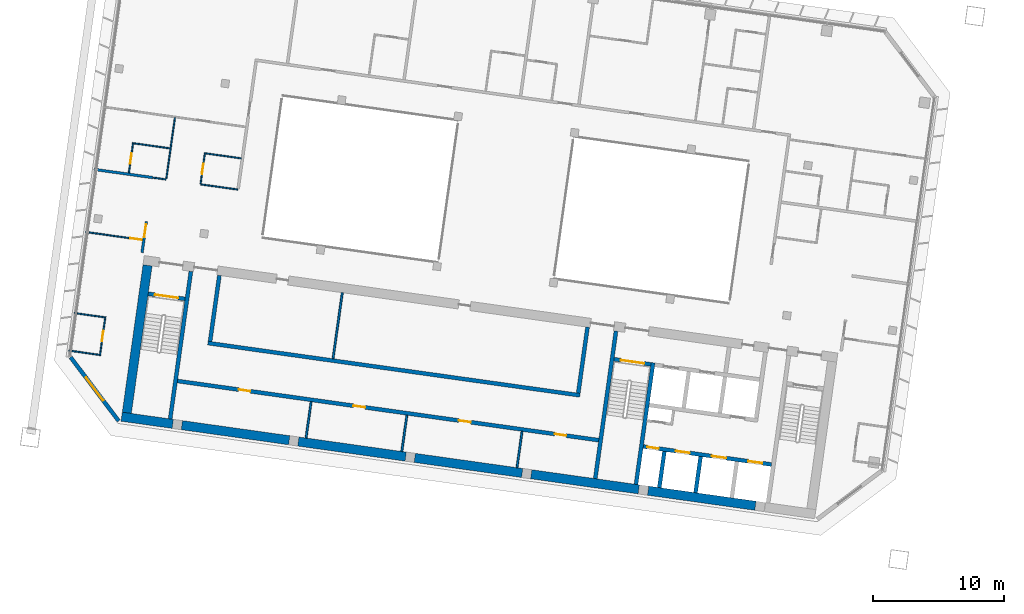
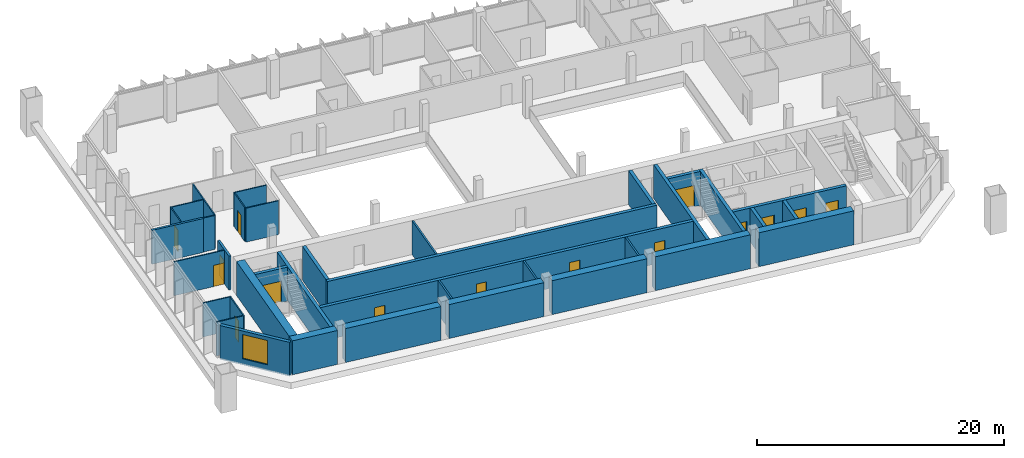
# One storey, part 17 of 31: 37 walls, 15 doors, 1 window, 16 openings.
"""IFC4 building model written with IfcOpenShell, lengths in metres."""

from ifc_helpers import new_model, si_unit, direction, frame, frame_2d, origin, place, context, subcontext, project, spatial, rectangle, extrude, material, layer, layer_set, type_object, element, fill, save


model = new_model("IFC4")

# Units and contexts
model_context = context("Model", 3, precision=1e-05, world=origin(), true_north=direction((0.0, 1.0)))
body_context = subcontext(model_context, "Body", "Model", "MODEL_VIEW")
ifc_project = project(units=[si_unit("LENGTHUNIT", "METRE"), si_unit("AREAUNIT", "SQUARE_METRE"), si_unit("VOLUMEUNIT", "CUBIC_METRE"), si_unit("PLANEANGLEUNIT", "RADIAN"), si_unit("MASSUNIT", "GRAM", prefix="KILO")], contexts=[model_context])

# Site, building, storey
site_placement = place(None, origin())
site = spatial("IfcSite", under=ifc_project, at=site_placement, CompositionType="ELEMENT")
building_placement = place(site_placement, origin())
building = spatial("IfcBuilding", under=site, at=building_placement, Name="Mirante Cascada Hotel Towers", CompositionType="ELEMENT")
storey_placement = place(building_placement, frame((0.0, 0.0, 157.4)))
storey = spatial("IfcBuildingStorey", under=building, at=storey_placement, Name="L36", CompositionType="ELEMENT", Elevation=157.4)

# Wall
ifc_material_1 = material(Name="Fire-rated plasterboard on metal studs")
ifc_layer_1 = layer(ifc_material_1, 0.2)
ifc_layer_set_1 = layer_set([ifc_layer_1], Name="Compartment wall 200 EI 120")
wall_type_1 = type_object("IfcWallType", Name="Compartment wall 200 EI 120", PredefinedType="PARTITIONING", material=ifc_layer_set_1)
wall_1_placement = place(storey_placement, frame((-92.3869, 6.7679, 0.0), z_axis=(0.0, 0.0, 1.0), x_axis=(0.9902674, -0.1391779, 0.0)))
element("IfcWall", 1, at=wall_1_placement, inside=storey, type_object=wall_type_1, Name="Wall 1-L36-10", PredefinedType="PARTITIONING", context=body_context, shape_type="SweptSolid", body=[
    extrude(rectangle(XDim=4.5, YDim=0.2, at=frame_2d((2.25, 0.0))), origin(), (0.0, 0.0, 1.0), 3.35),
])

# Wall, opening, door
wall_2_placement = place(storey_placement, frame((-88.7379, 0.3981, 0.0), z_axis=(0.0, 0.0, 1.0), x_axis=(0.1391693, 0.9902686, 0.0)))
wall_2 = element("IfcWall", 2, at=wall_2_placement, inside=storey, type_object=wall_type_1, Name="Wall 1-L36-49", PredefinedType="PARTITIONING", context=body_context, shape_type="SweptSolid", body=[
    extrude(rectangle(XDim=2.4, YDim=0.2, at=frame_2d((1.2, 0.0))), origin(), (0.0, 0.0, 1.0), 3.35),
])
opening_1_placement = place(wall_2_placement, frame((1.1833, 0.0, 0.0)))
opening_1 = element("IfcOpeningElement", 3, at=opening_1_placement, cuts=wall_2, Name="Opening D1-L36-28", PredefinedType="OPENING", context=body_context, shape_type="SweptSolid", body=[
    extrude(rectangle(XDim=1.0, YDim=2.1, at=frame_2d((0.5, 1.05))), frame((0.0, 0.1, 0.0), z_axis=(0.0, -1.0, 0.0), x_axis=(1.0, 0.0, 0.0)), (0.0, 0.0, 1.0), 0.2),
])
ifc_material_2 = material(Name="Fire-rated timber door leaf", Category="wood")
door_type_1 = type_object("IfcDoorType", Name="Entrance door DG1 1000x2100 EI 60", OperationType="SINGLE_SWING_LEFT", PredefinedType="DOOR", material=ifc_material_2)
door_1_placement = place(opening_1_placement, origin())
door_1 = element("IfcDoor", 4, at=door_1_placement, inside=storey, type_object=door_type_1, Name="Door D1-L36-28", OperationType="SINGLE_SWING_LEFT", OverallHeight=2.1, OverallWidth=1.0, PredefinedType="DOOR", context=body_context, shape_type="SweptSolid", body=[
    extrude(rectangle(XDim=1.0, YDim=2.1, at=frame_2d((0.5, 1.05))), frame((0.0, 0.025, 0.0), z_axis=(0.0, -1.0, 0.0), x_axis=(1.0, 0.0, 0.0)), (0.0, 0.0, 1.0), 0.05),
])
fill(opening_1, door_1)

# Walls
ifc_material_3 = material(Name="Masonry block", Category="masonry")
ifc_layer_2 = layer(ifc_material_3, 0.15)
ifc_layer_set_2 = layer_set([ifc_layer_2], Name="Core room partition 150 block EI 30")
wall_type_2 = type_object("IfcWallType", Name="Core room partition 150 block EI 30", PredefinedType="PARTITIONING", material=ifc_layer_set_2)
wall_3_placement = place(storey_placement, frame((-60.0485, -16.0548, 0.0), z_axis=(0.0, 0.0, 1.0), x_axis=(0.139181, 0.990267, 0.0)))
element("IfcWall", 5, at=wall_3_placement, inside=storey, type_object=wall_type_2, Name="Core wall partition T1 L36 5", PredefinedType="PARTITIONING", context=body_context, shape_type="SweptSolid", body=[
    extrude(rectangle(XDim=2.8, YDim=0.15, at=frame_2d((1.4, 0.0))), origin(), (0.0, 0.0, 1.0), 3.35),
])
wall_4_placement = place(storey_placement, frame((-68.8619, -14.8162, 0.0), z_axis=(0.0, 0.0, 1.0), x_axis=(0.139176, 0.9902677, 0.0)))
element("IfcWall", 6, at=wall_4_placement, inside=storey, type_object=wall_type_2, Name="Core wall partition T1 L36 6", PredefinedType="PARTITIONING", context=body_context, shape_type="SweptSolid", body=[
    extrude(rectangle(XDim=2.8001, YDim=0.15, at=frame_2d((1.4, 0.0))), origin(), (0.0, 0.0, 1.0), 3.35),
])
wall_5_placement = place(storey_placement, frame((-76.1899, -13.7863, 0.0), z_axis=(0.0, 0.0, 1.0), x_axis=(0.139181, 0.990267, 0.0)))
element("IfcWall", 7, at=wall_5_placement, inside=storey, type_object=wall_type_2, Name="Core wall partition T1 L36 7", PredefinedType="PARTITIONING", context=body_context, shape_type="SweptSolid", body=[
    extrude(rectangle(XDim=2.8, YDim=0.15, at=frame_2d((1.4, 0.0))), origin(), (0.0, 0.0, 1.0), 3.35),
])
wall_6_placement = place(storey_placement, frame((-74.1247, -7.7146, 0.0), z_axis=(0.0, 0.0, 1.0), x_axis=(0.139159, 0.9902701, 0.0)))
element("IfcWall", 8, at=wall_6_placement, inside=storey, type_object=wall_type_2, Name="Core wall partition T1 L36 8", PredefinedType="PARTITIONING", context=body_context, shape_type="SweptSolid", body=[
    extrude(rectangle(XDim=5.0999, YDim=0.15, at=frame_2d((2.55, 0.0))), origin(), (0.0, 0.0, 1.0), 3.35),
])

# Wall, openings, doors
ifc_material_4 = material(Name="Masonry block", Category="masonry")
ifc_layer_3 = layer(ifc_material_4, 0.3)
ifc_layer_set_3 = layer_set([ifc_layer_3], Name="Core wall 300 block EI 120")
wall_type_3 = type_object("IfcWallType", Name="Core wall 300 block EI 120", PredefinedType="PARTITIONING", material=ifc_layer_set_3)
wall_7_placement = place(storey_placement, frame((-53.7953, -13.9547, 0.0), z_axis=(0.0, 0.0, 1.0), x_axis=(-0.990268, 0.1391733, 0.0)))
wall_7 = element("IfcWall", 9, at=wall_7_placement, inside=storey, type_object=wall_type_3, Name="Core wall partition T1 L36 4", PredefinedType="PARTITIONING", context=body_context, shape_type="SweptSolid", body=[
    extrude(rectangle(XDim=32.5501, YDim=0.3, at=frame_2d((16.275, 0.0))), origin(), (0.0, 0.0, 1.0), 3.35),
])
opening_2_placement = place(wall_7_placement, frame((2.5, 0.0, 0.0)))
opening_2 = element("IfcOpeningElement", 10, at=opening_2_placement, cuts=wall_7, Name="Opening D1-36-C19", PredefinedType="OPENING", context=body_context, shape_type="SweptSolid", body=[
    extrude(rectangle(XDim=0.9, YDim=2.1, at=frame_2d((0.45, 1.05))), frame((0.0, 0.15, 0.0), z_axis=(0.0, -1.0, 0.0), x_axis=(1.0, 0.0, 0.0)), (0.0, 0.0, 1.0), 0.3),
])
opening_3_placement = place(wall_7_placement, frame((9.9, 0.0, 0.0)))
opening_3 = element("IfcOpeningElement", 11, at=opening_3_placement, cuts=wall_7, Name="Opening D1-36-C20", PredefinedType="OPENING", context=body_context, shape_type="SweptSolid", body=[
    extrude(rectangle(XDim=0.9, YDim=2.1, at=frame_2d((0.45, 1.05))), frame((0.0, 0.15, 0.0), z_axis=(0.0, -1.0, 0.0), x_axis=(1.0, 0.0, 0.0)), (0.0, 0.0, 1.0), 0.3),
])
opening_4_placement = place(wall_7_placement, frame((18.05, 0.0, 0.0)))
opening_4 = element("IfcOpeningElement", 12, at=opening_4_placement, cuts=wall_7, Name="Opening D1-36-C21", PredefinedType="OPENING", context=body_context, shape_type="SweptSolid", body=[
    extrude(rectangle(XDim=0.9, YDim=2.1, at=frame_2d((0.45, 1.05))), frame((0.0, 0.15, 0.0), z_axis=(0.0, -1.0, 0.0), x_axis=(1.0, 0.0, 0.0)), (0.0, 0.0, 1.0), 0.3),
])
opening_5_placement = place(wall_7_placement, frame((26.925, 0.0, 0.0)))
opening_5 = element("IfcOpeningElement", 13, at=opening_5_placement, cuts=wall_7, Name="Opening D1-36-C22", PredefinedType="OPENING", context=body_context, shape_type="SweptSolid", body=[
    extrude(rectangle(XDim=0.9, YDim=2.1, at=frame_2d((0.45, 1.05))), frame((0.0, 0.15, 0.0), z_axis=(0.0, -1.0, 0.0), x_axis=(1.0, 0.0, 0.0)), (0.0, 0.0, 1.0), 0.3),
])
ifc_material_5 = material(Name="Hollow metal fire door leaf")
door_type_2 = type_object("IfcDoorType", Name="Fire door 900x2100 FD60", OperationType="NOTDEFINED", PredefinedType="DOOR", material=ifc_material_5)
door_2_placement = place(opening_2_placement, origin())
door_2 = element("IfcDoor", 14, at=door_2_placement, inside=storey, type_object=door_type_2, Name="Room door T1 L36 19", OperationType="SINGLE_SWING_RIGHT", OverallHeight=2.1, OverallWidth=0.9, PredefinedType="DOOR", context=body_context, shape_type="SweptSolid", body=[
    extrude(rectangle(XDim=0.9, YDim=2.1, at=frame_2d((0.45, 1.05))), frame((0.0, 0.025, 0.0), z_axis=(0.0, -1.0, 0.0), x_axis=(1.0, 0.0, 0.0)), (0.0, 0.0, 1.0), 0.05),
])
fill(opening_2, door_2)
door_3_placement = place(opening_3_placement, origin())
door_3 = element("IfcDoor", 15, at=door_3_placement, inside=storey, type_object=door_type_2, Name="Room door T1 L36 20", OperationType="SINGLE_SWING_RIGHT", OverallHeight=2.1, OverallWidth=0.9, PredefinedType="DOOR", context=body_context, shape_type="SweptSolid", body=[
    extrude(rectangle(XDim=0.9, YDim=2.1, at=frame_2d((0.45, 1.05))), frame((0.0, 0.025, 0.0), z_axis=(0.0, -1.0, 0.0), x_axis=(1.0, 0.0, 0.0)), (0.0, 0.0, 1.0), 0.05),
])
fill(opening_3, door_3)
door_4_placement = place(opening_4_placement, origin())
door_4 = element("IfcDoor", 16, at=door_4_placement, inside=storey, type_object=door_type_2, Name="Room door T1 L36 21", OperationType="SINGLE_SWING_LEFT", OverallHeight=2.1, OverallWidth=0.9, PredefinedType="DOOR", context=body_context, shape_type="SweptSolid", body=[
    extrude(rectangle(XDim=0.9, YDim=2.1, at=frame_2d((0.45, 1.05))), frame((0.0, 0.025, 0.0), z_axis=(0.0, -1.0, 0.0), x_axis=(1.0, 0.0, 0.0)), (0.0, 0.0, 1.0), 0.05),
])
fill(opening_4, door_4)
door_5_placement = place(opening_5_placement, origin())
door_5 = element("IfcDoor", 17, at=door_5_placement, inside=storey, type_object=door_type_2, Name="Room door T1 L36 22", OperationType="SINGLE_SWING_LEFT", OverallHeight=2.1, OverallWidth=0.9, PredefinedType="DOOR", context=body_context, shape_type="SweptSolid", body=[
    extrude(rectangle(XDim=0.9, YDim=2.1, at=frame_2d((0.45, 1.05))), frame((0.0, 0.025, 0.0), z_axis=(0.0, -1.0, 0.0), x_axis=(1.0, 0.0, 0.0)), (0.0, 0.0, 1.0), 0.05),
])
fill(opening_5, door_5)

# Walls
ifc_material_6 = material(Name="Plasterboard on metal studs")
ifc_layer_4 = layer(ifc_material_6, 0.1)
ifc_layer_set_4 = layer_set([ifc_layer_4], Name="Partition 100")
wall_type_4 = type_object("IfcWallType", Name="Partition 100", PredefinedType="PARTITIONING", material=ifc_layer_set_4)
for number, where, z_axis, x_axis, name in (
    (18, (-94.3353, -7.0958, 0.0), (0.0, 0.0, 1.0), (0.9902653, -0.1391929, 0.0), "Wall 1-L36-02"),
    (19, (-93.9317, -4.2241, 0.0), (0.0, 0.0, 1.0), (0.9902712, -0.1391512, 0.0), "Wall 1-L36-04"),
):
    element("IfcWall", number, at=place(storey_placement, frame(where, z_axis=z_axis, x_axis=x_axis)), inside=storey, type_object=wall_type_4, Name=name, PredefinedType="PARTITIONING", context=body_context, shape_type="SweptSolid", body=[
        extrude(rectangle(XDim=2.35, YDim=0.1, at=frame_2d((1.175, 0.0))), origin(), (0.0, 0.0, 1.0), 3.35),
    ])

# Wall, opening, door
wall_8_placement = place(storey_placement, frame((-93.0596, 1.9816, 0.0), z_axis=(0.0, 0.0, 1.0), x_axis=(0.9902701, -0.1391587, 0.0)))
wall_8 = element("IfcWall", 20, at=wall_8_placement, inside=storey, type_object=wall_type_4, Name="Wall 1-L36-06", PredefinedType="PARTITIONING", context=body_context, shape_type="SweptSolid", body=[
    extrude(rectangle(XDim=4.4, YDim=0.1, at=frame_2d((2.2, 0.0))), origin(), (0.0, 0.0, 1.0), 3.35),
])
opening_6_placement = place(wall_8_placement, frame((3.45, 0.0, 0.0)))
opening_6 = element("IfcOpeningElement", 21, at=opening_6_placement, cuts=wall_8, Name="Opening D1-L36-02", PredefinedType="OPENING", context=body_context, shape_type="SweptSolid", body=[
    extrude(rectangle(XDim=0.9, YDim=2.1, at=frame_2d((0.45, 1.05))), frame((0.0, 0.05, 0.0), z_axis=(0.0, -1.0, 0.0), x_axis=(1.0, 0.0, 0.0)), (0.0, 0.0, 1.0), 0.1),
])
ifc_material_7 = material(Name="Timber door leaf", Category="wood")
door_type_3 = type_object("IfcDoorType", Name="Room door DG3 900x2100", OperationType="SINGLE_SWING_LEFT", PredefinedType="DOOR", material=ifc_material_7)
door_6_placement = place(opening_6_placement, frame((0.9, 0.0, 0.0), z_axis=(0.0, 0.0, 1.0), x_axis=(-1.0, 0.0, 0.0)))
door_6 = element("IfcDoor", 22, at=door_6_placement, inside=storey, type_object=door_type_3, Name="Door D1-L36-02", OperationType="SINGLE_SWING_RIGHT", OverallHeight=2.1, OverallWidth=0.9, PredefinedType="DOOR", context=body_context, shape_type="SweptSolid", body=[
    extrude(rectangle(XDim=0.9, YDim=2.1, at=frame_2d((0.45, 1.05))), frame((0.0, 0.025, 0.0), z_axis=(0.0, -1.0, 0.0), x_axis=(1.0, 0.0, 0.0)), (0.0, 0.0, 1.0), 0.05),
])
fill(opening_6, door_6)

# Walls
wall_9_placement = place(storey_placement, frame((-84.237, 5.6225, 0.0), z_axis=(0.0, 0.0, 1.0), x_axis=(0.9902708, -0.1391534, 0.0)))
element("IfcWall", 23, at=wall_9_placement, inside=storey, type_object=wall_type_4, Name="Wall 1-L36-08", PredefinedType="PARTITIONING", context=body_context, shape_type="SweptSolid", body=[
    extrude(rectangle(XDim=2.84, YDim=0.1, at=frame_2d((1.42, 0.0))), origin(), (0.0, 0.0, 1.0), 3.35),
])
wall_10_placement = place(storey_placement, frame((-86.9206, 5.9997, 0.0), z_axis=(0.0, 0.0, 1.0), x_axis=(-0.9902662, 0.1391867, 0.0)))
element("IfcWall", 24, at=wall_10_placement, inside=storey, type_object=wall_type_4, Name="Wall 1-L36-09", PredefinedType="PARTITIONING", context=body_context, shape_type="SweptSolid", body=[
    extrude(rectangle(XDim=0.99, YDim=0.1, at=frame_2d((0.495, 0.0))), origin(), (0.0, 0.0, 1.0), 3.35),
])
wall_11_placement = place(storey_placement, frame((-83.9822, 8.0103, 0.0), z_axis=(0.0, 0.0, 1.0), x_axis=(0.9902656, -0.1391909, 0.0)))
element("IfcWall", 25, at=wall_11_placement, inside=storey, type_object=wall_type_4, Name="Wall 1-L36-12", PredefinedType="PARTITIONING", context=body_context, shape_type="SweptSolid", body=[
    extrude(rectangle(XDim=2.85, YDim=0.1, at=frame_2d((1.425, 0.0))), origin(), (0.0, 0.0, 1.0), 3.35),
])
wall_12_placement = place(storey_placement, frame((-86.6064, 8.3791, 0.0), z_axis=(0.0, 0.0, 1.0), x_axis=(-0.9902683, 0.1391714, 0.0)))
element("IfcWall", 26, at=wall_12_placement, inside=storey, type_object=wall_type_4, Name="Wall 1-L36-13", PredefinedType="PARTITIONING", context=body_context, shape_type="SweptSolid", body=[
    extrude(rectangle(XDim=2.9, YDim=0.1, at=frame_2d((1.45, 0.0))), origin(), (0.0, 0.0, 1.0), 3.35),
])

# Wall, opening, door
wall_13_placement = place(storey_placement, frame((-84.2597, 5.6762, 0.0), z_axis=(0.0, 0.0, 1.0), x_axis=(0.1391749, 0.9902678, 0.0)))
wall_13 = element("IfcWall", 27, at=wall_13_placement, inside=storey, type_object=wall_type_4, Name="Wall 1-L36-47", PredefinedType="PARTITIONING", context=body_context, shape_type="SweptSolid", body=[
    extrude(rectangle(XDim=2.3, YDim=0.1, at=frame_2d((1.15, 0.0))), origin(), (0.0, 0.0, 1.0), 3.35),
])
opening_7_placement = place(wall_13_placement, frame((0.75, 0.0, 0.0)))
opening_7 = element("IfcOpeningElement", 28, at=opening_7_placement, cuts=wall_13, Name="Opening D1-L36-27", PredefinedType="OPENING", context=body_context, shape_type="SweptSolid", body=[
    extrude(rectangle(XDim=0.8, YDim=2.1, at=frame_2d((0.4, 1.05))), frame((0.0, 0.05, 0.0), z_axis=(0.0, -1.0, 0.0), x_axis=(1.0, 0.0, 0.0)), (0.0, 0.0, 1.0), 0.1),
])
ifc_material_8 = material(Name="Timber door leaf", Category="wood")
door_type_4 = type_object("IfcDoorType", Name="Bathroom door DG4 800x2100", OperationType="SINGLE_SWING_LEFT", PredefinedType="DOOR", material=ifc_material_8)
door_7_placement = place(opening_7_placement, frame((0.8, 0.0, 0.0), z_axis=(0.0, 0.0, 1.0), x_axis=(-1.0, 0.0, 0.0)))
door_7 = element("IfcDoor", 29, at=door_7_placement, inside=storey, type_object=door_type_4, Name="Door D1-L36-27", OperationType="SINGLE_SWING_RIGHT", OverallHeight=2.1, OverallWidth=0.8, PredefinedType="DOOR", context=body_context, shape_type="SweptSolid", body=[
    extrude(rectangle(XDim=0.8, YDim=2.1, at=frame_2d((0.4, 1.05))), frame((0.0, 0.025, 0.0), z_axis=(0.0, -1.0, 0.0), x_axis=(1.0, 0.0, 0.0)), (0.0, 0.0, 1.0), 0.05),
])
fill(opening_7, door_7)

# Wall
wall_14_placement = place(storey_placement, frame((-86.2252, 10.7322, 0.0), z_axis=(0.0, 0.0, 1.0), x_axis=(-0.1391642, -0.9902693, 0.0)))
element("IfcWall", 30, at=wall_14_placement, inside=storey, type_object=wall_type_4, Name="Wall 1-L36-48", PredefinedType="PARTITIONING", context=body_context, shape_type="SweptSolid", body=[
    extrude(rectangle(XDim=4.7333, YDim=0.1, at=frame_2d((2.3666, 0.0))), origin(), (0.0, 0.0, 1.0), 3.35),
])

# Wall, opening, door
wall_15_placement = place(storey_placement, frame((-89.4356, 8.7262, 0.0), z_axis=(0.0, 0.0, 1.0), x_axis=(-0.1391997, -0.9902643, 0.0)))
wall_15 = element("IfcWall", 31, at=wall_15_placement, inside=storey, type_object=wall_type_4, Name="Wall 1-L36-50", PredefinedType="PARTITIONING", context=body_context, shape_type="SweptSolid", body=[
    extrude(rectangle(XDim=2.25, YDim=0.1, at=frame_2d((1.125, 0.0))), origin(), (0.0, 0.0, 1.0), 3.35),
])
opening_8_placement = place(wall_15_placement, frame((0.75, 0.0, 0.0)))
opening_8 = element("IfcOpeningElement", 32, at=opening_8_placement, cuts=wall_15, Name="Opening D1-L36-29", PredefinedType="OPENING", context=body_context, shape_type="SweptSolid", body=[
    extrude(rectangle(XDim=0.8, YDim=2.1, at=frame_2d((0.4, 1.05))), frame((0.0, 0.05, 0.0), z_axis=(0.0, -1.0, 0.0), x_axis=(1.0, 0.0, 0.0)), (0.0, 0.0, 1.0), 0.1),
])
door_8_placement = place(opening_8_placement, origin())
door_8 = element("IfcDoor", 33, at=door_8_placement, inside=storey, type_object=door_type_4, Name="Door D1-L36-29", OperationType="SINGLE_SWING_LEFT", OverallHeight=2.1, OverallWidth=0.8, PredefinedType="DOOR", context=body_context, shape_type="SweptSolid", body=[
    extrude(rectangle(XDim=0.8, YDim=2.1, at=frame_2d((0.4, 1.05))), frame((0.0, 0.025, 0.0), z_axis=(0.0, -1.0, 0.0), x_axis=(1.0, 0.0, 0.0)), (0.0, 0.0, 1.0), 0.05),
])
fill(opening_8, door_8)

wall_16_placement = place(storey_placement, frame((-91.9656, -7.4794, 0.0), z_axis=(0.0, 0.0, 1.0), x_axis=(0.139167, 0.9902689, 0.0)))
wall_16 = element("IfcWall", 34, at=wall_16_placement, inside=storey, type_object=wall_type_4, Name="Wall 1-L36-51", PredefinedType="PARTITIONING", context=body_context, shape_type="SweptSolid", body=[
    extrude(rectangle(XDim=3.0, YDim=0.1, at=frame_2d((1.5, 0.0))), origin(), (0.0, 0.0, 1.0), 3.35),
])
opening_9_placement = place(wall_16_placement, frame((1.1, 0.0, 0.0)))
opening_9 = element("IfcOpeningElement", 35, at=opening_9_placement, cuts=wall_16, Name="Opening D1-L36-30", PredefinedType="OPENING", context=body_context, shape_type="SweptSolid", body=[
    extrude(rectangle(XDim=0.8, YDim=2.1, at=frame_2d((0.4, 1.05))), frame((0.0, 0.05, 0.0), z_axis=(0.0, -1.0, 0.0), x_axis=(1.0, 0.0, 0.0)), (0.0, 0.0, 1.0), 0.1),
])
door_9_placement = place(opening_9_placement, frame((0.8, 0.0, 0.0), z_axis=(0.0, 0.0, 1.0), x_axis=(-1.0, 0.0, 0.0)))
door_9 = element("IfcDoor", 36, at=door_9_placement, inside=storey, type_object=door_type_4, Name="Door D1-L36-30", OperationType="SINGLE_SWING_RIGHT", OverallHeight=2.1, OverallWidth=0.8, PredefinedType="DOOR", context=body_context, shape_type="SweptSolid", body=[
    extrude(rectangle(XDim=0.8, YDim=2.1, at=frame_2d((0.4, 1.05))), frame((0.0, 0.025, 0.0), z_axis=(0.0, -1.0, 0.0), x_axis=(1.0, 0.0, 0.0)), (0.0, 0.0, 1.0), 0.05),
])
fill(opening_9, door_9)

# Wall, opening, window
ifc_material_9 = material(Name="Precast concrete C40/50", Category="concrete")
ifc_layer_5 = layer(ifc_material_9, 0.3)
ifc_layer_set_5 = layer_set([ifc_layer_5], Name="Precast concrete C40/50 cladding wall 300")
wall_type_5 = type_object("IfcWallType", Name="Precast concrete C40/50 cladding wall 300", PredefinedType="STANDARD", material=ifc_layer_set_5)
wall_17_placement = place(storey_placement, frame((-90.5299, -12.4841, 0.0), z_axis=(0.0, 0.0, 1.0), x_axis=(-0.6018063, 0.7986421, 0.0)))
wall_17 = element("IfcWall", 37, at=wall_17_placement, inside=storey, type_object=wall_type_5, Name="Corner cladding wall T1 L36 rear outer", PredefinedType="STANDARD", context=body_context, shape_type="SweptSolid", body=[
    extrude(rectangle(XDim=6.1158, YDim=0.3, at=frame_2d((3.0579, 0.0))), origin(), (0.0, 0.0, 1.0), 3.35),
])
opening_10_placement = place(wall_17_placement, frame((1.9578, 0.0, 0.6)))
opening_10 = element("IfcOpeningElement", 38, at=opening_10_placement, cuts=wall_17, Name="Opening W1-36-01", PredefinedType="OPENING", context=body_context, shape_type="SweptSolid", body=[
    extrude(rectangle(XDim=2.2, YDim=2.4, at=frame_2d((1.1, 1.2))), frame((0.0, 0.15, 0.0), z_axis=(0.0, -1.0, 0.0), x_axis=(1.0, 0.0, 0.0)), (0.0, 0.0, 1.0), 0.3),
])
ifc_material_10 = material(Name="Aluminium frame with clear double glazing", Category="aluminium")
window_type = type_object("IfcWindowType", Name="Corner suite window 2200x2400", PartitioningType="DOUBLE_PANEL_VERTICAL", PredefinedType="WINDOW", material=ifc_material_10)
window_placement = place(opening_10_placement, origin())
window = element("IfcWindow", 39, at=window_placement, inside=storey, type_object=window_type, Name="Window W1-36-01", OverallHeight=2.4, OverallWidth=2.2, PartitioningType="SINGLE_PANEL", PredefinedType="WINDOW", context=body_context, shape_type="SweptSolid", body=[
    extrude(rectangle(XDim=2.2, YDim=2.4, at=frame_2d((1.1, 1.2))), frame((0.0, 0.03, 0.0), z_axis=(0.0, -1.0, 0.0), x_axis=(1.0, 0.0, 0.0)), (0.0, 0.0, 1.0), 0.06),
])
fill(opening_10, window)

# Walls
ifc_material_11 = material(Name="Concrete C50/60", Category="concrete")
ifc_layer_6 = layer(ifc_material_11, 0.3)
ifc_layer_set_6 = layer_set([ifc_layer_6], Name="RC core wall 300 C50/60")
wall_type_6 = type_object("IfcWallType", Name="RC core wall 300 C50/60", PredefinedType="SHEAR", material=ifc_layer_set_6)
wall_18_placement = place(storey_placement, frame((-50.938, -17.3352, 0.0), z_axis=(0.0, 0.0, 1.0), x_axis=(0.1391706, 0.9902684, 0.0)))
element("IfcWall", 40, at=wall_18_placement, inside=storey, type_object=wall_type_6, Name="Core wall T1:L36:6", PredefinedType="SHEAR", context=body_context, shape_type="SweptSolid", body=[
    extrude(rectangle(XDim=9.4, YDim=0.3, at=frame_2d((4.7, 0.0))), origin(), (0.0, 0.0, 1.0), 3.35),
])
wall_19_placement = place(storey_placement, frame((-54.0574, -16.8968, 0.0), z_axis=(0.0, 0.0, 1.0), x_axis=(0.1391761, 0.9902677, 0.0)))
element("IfcWall", 41, at=wall_19_placement, inside=storey, type_object=wall_type_6, Name="Core wall T1:L36:7", PredefinedType="SHEAR", context=body_context, shape_type="SweptSolid", body=[
    extrude(rectangle(XDim=11.3999, YDim=0.3, at=frame_2d((5.7, 0.0))), origin(), (0.0, 0.0, 1.0), 3.35),
])
wall_20_placement = place(storey_placement, frame((-86.5877, -12.325, 0.0), z_axis=(0.0, 0.0, 1.0), x_axis=(0.1391749, 0.9902678, 0.0)))
element("IfcWall", 42, at=wall_20_placement, inside=storey, type_object=wall_type_6, Name="Core wall T1:L36:8", PredefinedType="SHEAR", context=body_context, shape_type="SweptSolid", body=[
    extrude(rectangle(XDim=11.4, YDim=0.3, at=frame_2d((5.7, 0.0))), origin(), (0.0, 0.0, 1.0), 3.35),
])

# Wall, opening, door
wall_21_placement = place(storey_placement, frame((-49.7992, -8.1544, 0.0), z_axis=(0.0, 0.0, 1.0), x_axis=(-0.9902656, 0.1391909, 0.0)))
wall_21 = element("IfcWall", 43, at=wall_21_placement, inside=storey, type_object=wall_type_6, Name="Core wall T1:L36:10", PredefinedType="SHEAR", context=body_context, shape_type="SweptSolid", body=[
    extrude(rectangle(XDim=2.85, YDim=0.3, at=frame_2d((1.425, 0.0))), origin(), (0.0, 0.0, 1.0), 3.35),
])
opening_11_placement = place(wall_21_placement, frame((0.525, 0.0, 0.0)))
opening_11 = element("IfcOpeningElement", 44, at=opening_11_placement, cuts=wall_21, Name="Opening D1-36-C09", PredefinedType="OPENING", context=body_context, shape_type="SweptSolid", body=[
    extrude(rectangle(XDim=1.8, YDim=2.1, at=frame_2d((0.9, 1.05))), frame((0.0, 0.15, 0.0), z_axis=(0.0, -1.0, 0.0), x_axis=(1.0, 0.0, 0.0)), (0.0, 0.0, 1.0), 0.3),
])
ifc_material_12 = material(Name="Hollow metal fire door leaf")
door_type_5 = type_object("IfcDoorType", Name="Double fire door 1800x2100 FD60", OperationType="DOUBLE_DOOR_SINGLE_SWING", PredefinedType="DOOR", material=ifc_material_12)
door_10_placement = place(opening_11_placement, origin())
door_10 = element("IfcDoor", 45, at=door_10_placement, inside=storey, type_object=door_type_5, Name="Stair door T1 L36 9", OperationType="DOUBLE_DOOR_SINGLE_SWING", OverallHeight=2.1, OverallWidth=1.8, PredefinedType="DOOR", context=body_context, shape_type="SweptSolid", body=[
    extrude(rectangle(XDim=0.895, YDim=2.1, at=frame_2d((0.4475, 1.05))), frame((0.0, 0.025, 0.0), z_axis=(0.0, -1.0, 0.0), x_axis=(1.0, 0.0, 0.0)), (0.0, 0.0, 1.0), 0.05),
    extrude(rectangle(XDim=0.895, YDim=2.1, at=frame_2d((1.3525, 1.05))), frame((0.0, 0.025, 0.0), z_axis=(0.0, -1.0, 0.0), x_axis=(1.0, 0.0, 0.0)), (0.0, 0.0, 1.0), 0.05),
])
fill(opening_11, door_10)

wall_22_placement = place(storey_placement, frame((-85.4489, -3.1441, 0.0), z_axis=(0.0, 0.0, 1.0), x_axis=(-0.9902697, 0.1391613, 0.0)))
wall_22 = element("IfcWall", 46, at=wall_22_placement, inside=storey, type_object=wall_type_6, Name="Core wall T1:L36:11", PredefinedType="SHEAR", context=body_context, shape_type="SweptSolid", body=[
    extrude(rectangle(XDim=2.8499, YDim=0.3, at=frame_2d((1.425, 0.0))), origin(), (0.0, 0.0, 1.0), 3.35),
])
opening_12_placement = place(wall_22_placement, frame((0.525, 0.0, 0.0)))
opening_12 = element("IfcOpeningElement", 47, at=opening_12_placement, cuts=wall_22, Name="Opening D1-36-C11", PredefinedType="OPENING", context=body_context, shape_type="SweptSolid", body=[
    extrude(rectangle(XDim=1.8, YDim=2.1, at=frame_2d((0.9, 1.05))), frame((0.0, 0.15, 0.0), z_axis=(0.0, -1.0, 0.0), x_axis=(1.0, 0.0, 0.0)), (0.0, 0.0, 1.0), 0.3),
])
door_11_placement = place(opening_12_placement, origin())
door_11 = element("IfcDoor", 48, at=door_11_placement, inside=storey, type_object=door_type_5, Name="Stair door T1 L36 11", OperationType="DOUBLE_DOOR_SINGLE_SWING", OverallHeight=2.1, OverallWidth=1.8, PredefinedType="DOOR", context=body_context, shape_type="SweptSolid", body=[
    extrude(rectangle(XDim=0.895, YDim=2.1, at=frame_2d((0.4475, 1.05))), frame((0.0, 0.025, 0.0), z_axis=(0.0, -1.0, 0.0), x_axis=(1.0, 0.0, 0.0)), (0.0, 0.0, 1.0), 0.05),
    extrude(rectangle(XDim=0.895, YDim=2.1, at=frame_2d((1.3525, 1.05))), frame((0.0, 0.025, 0.0), z_axis=(0.0, -1.0, 0.0), x_axis=(1.0, 0.0, 0.0)), (0.0, 0.0, 1.0), 0.05),
])
fill(opening_12, door_11)

# Wall, openings, doors
wall_23_placement = place(storey_placement, frame((-40.5753, -15.8126, 0.0), z_axis=(0.0, 0.0, 1.0), x_axis=(-0.9902682, 0.1391725, 0.0)))
wall_23 = element("IfcWall", 49, at=wall_23_placement, inside=storey, type_object=wall_type_6, Name="Core wall T1:L36:12", PredefinedType="SHEAR", context=body_context, shape_type="SweptSolid", body=[
    extrude(rectangle(XDim=9.8999, YDim=0.3, at=frame_2d((4.95, 0.0))), origin(), (0.0, 0.0, 1.0), 3.35),
])
opening_13_placement = place(wall_23_placement, frame((0.7, 0.0, 0.0)))
opening_13 = element("IfcOpeningElement", 50, at=opening_13_placement, cuts=wall_23, Name="Opening LD", PredefinedType="OPENING", context=body_context, shape_type="SweptSolid", body=[
    extrude(rectangle(XDim=1.1, YDim=2.1, at=frame_2d((0.55, 1.05))), frame((0.0, 0.15, 0.0), z_axis=(0.0, -1.0, 0.0), x_axis=(1.0, 0.0, 0.0)), (0.0, 0.0, 1.0), 0.3),
])
opening_14_placement = place(wall_23_placement, frame((3.5, 0.0, 0.0)))
opening_14 = element("IfcOpeningElement", 51, at=opening_14_placement, cuts=wall_23, Name="Opening LD", PredefinedType="OPENING", context=body_context, shape_type="SweptSolid", body=[
    extrude(rectangle(XDim=1.1, YDim=2.1, at=frame_2d((0.55, 1.05))), frame((0.0, 0.15, 0.0), z_axis=(0.0, -1.0, 0.0), x_axis=(1.0, 0.0, 0.0)), (0.0, 0.0, 1.0), 0.3),
])
opening_15_placement = place(wall_23_placement, frame((6.3, 0.0, 0.0)))
opening_15 = element("IfcOpeningElement", 52, at=opening_15_placement, cuts=wall_23, Name="Opening LD", PredefinedType="OPENING", context=body_context, shape_type="SweptSolid", body=[
    extrude(rectangle(XDim=1.1, YDim=2.1, at=frame_2d((0.55, 1.05))), frame((0.0, 0.15, 0.0), z_axis=(0.0, -1.0, 0.0), x_axis=(1.0, 0.0, 0.0)), (0.0, 0.0, 1.0), 0.3),
])
opening_16_placement = place(wall_23_placement, frame((8.7, 0.0, 0.0)))
opening_16 = element("IfcOpeningElement", 53, at=opening_16_placement, cuts=wall_23, Name="Opening D1-36-C16", PredefinedType="OPENING", context=body_context, shape_type="SweptSolid", body=[
    extrude(rectangle(XDim=0.9, YDim=2.1, at=frame_2d((0.45, 1.05))), frame((0.0, 0.15, 0.0), z_axis=(0.0, -1.0, 0.0), x_axis=(1.0, 0.0, 0.0)), (0.0, 0.0, 1.0), 0.3),
])
door_12_placement = place(opening_16_placement, origin())
door_12 = element("IfcDoor", 54, at=door_12_placement, inside=storey, type_object=door_type_2, Name="Riser door T1 L36 16", OperationType="SINGLE_SWING_LEFT", OverallHeight=2.1, OverallWidth=0.9, PredefinedType="DOOR", context=body_context, shape_type="SweptSolid", body=[
    extrude(rectangle(XDim=0.9, YDim=2.1, at=frame_2d((0.45, 1.05))), frame((0.0, 0.025, 0.0), z_axis=(0.0, -1.0, 0.0), x_axis=(1.0, 0.0, 0.0)), (0.0, 0.0, 1.0), 0.05),
])
fill(opening_16, door_12)
ifc_material_13 = material(Name="Stainless steel", Category="steel")
door_type_6 = type_object("IfcDoorType", Name="Lift landing door 1100x2100 EI 120", OperationType="DOUBLE_DOOR_SLIDING", PredefinedType="DOOR", material=ifc_material_13)
door_13_placement = place(opening_13_placement, origin())
door_13 = element("IfcDoor", 55, at=door_13_placement, inside=storey, type_object=door_type_6, Name="Lift landing door HR1-1 L36", OperationType="DOUBLE_DOOR_SLIDING", OverallHeight=2.1, OverallWidth=1.1, PredefinedType="DOOR", context=body_context, shape_type="SweptSolid", body=[
    extrude(rectangle(XDim=0.545, YDim=2.1, at=frame_2d((0.2725, 1.05))), frame((0.0, 0.025, 0.0), z_axis=(0.0, -1.0, 0.0), x_axis=(1.0, 0.0, 0.0)), (0.0, 0.0, 1.0), 0.05),
    extrude(rectangle(XDim=0.545, YDim=2.1, at=frame_2d((0.8275, 1.05))), frame((0.0, 0.025, 0.0), z_axis=(0.0, -1.0, 0.0), x_axis=(1.0, 0.0, 0.0)), (0.0, 0.0, 1.0), 0.05),
])
fill(opening_13, door_13)
door_14_placement = place(opening_14_placement, origin())
door_14 = element("IfcDoor", 56, at=door_14_placement, inside=storey, type_object=door_type_6, Name="Lift landing door HR1-2 L36", OperationType="DOUBLE_DOOR_SLIDING", OverallHeight=2.1, OverallWidth=1.1, PredefinedType="DOOR", context=body_context, shape_type="SweptSolid", body=[
    extrude(rectangle(XDim=0.545, YDim=2.1, at=frame_2d((0.2725, 1.05))), frame((0.0, 0.025, 0.0), z_axis=(0.0, -1.0, 0.0), x_axis=(1.0, 0.0, 0.0)), (0.0, 0.0, 1.0), 0.05),
    extrude(rectangle(XDim=0.545, YDim=2.1, at=frame_2d((0.8275, 1.05))), frame((0.0, 0.025, 0.0), z_axis=(0.0, -1.0, 0.0), x_axis=(1.0, 0.0, 0.0)), (0.0, 0.0, 1.0), 0.05),
])
fill(opening_14, door_14)
door_15_placement = place(opening_15_placement, origin())
door_15 = element("IfcDoor", 57, at=door_15_placement, inside=storey, type_object=door_type_6, Name="Lift landing door HR1-3 L36", OperationType="DOUBLE_DOOR_SLIDING", OverallHeight=2.1, OverallWidth=1.1, PredefinedType="DOOR", context=body_context, shape_type="SweptSolid", body=[
    extrude(rectangle(XDim=0.545, YDim=2.1, at=frame_2d((0.2725, 1.05))), frame((0.0, 0.025, 0.0), z_axis=(0.0, -1.0, 0.0), x_axis=(1.0, 0.0, 0.0)), (0.0, 0.0, 1.0), 0.05),
    extrude(rectangle(XDim=0.545, YDim=2.1, at=frame_2d((0.8275, 1.05))), frame((0.0, 0.025, 0.0), z_axis=(0.0, -1.0, 0.0), x_axis=(1.0, 0.0, 0.0)), (0.0, 0.0, 1.0), 0.05),
])
fill(opening_15, door_15)

# Walls
wall_24_placement = place(storey_placement, frame((-46.3828, -17.9754, 0.0), z_axis=(0.0, 0.0, 1.0), x_axis=(0.139181, 0.990267, 0.0)))
element("IfcWall", 58, at=wall_24_placement, inside=storey, type_object=wall_type_6, Name="Core wall T1:L36:16", PredefinedType="SHEAR", context=body_context, shape_type="SweptSolid", body=[
    extrude(rectangle(XDim=2.8, YDim=0.3, at=frame_2d((1.4, 0.0))), origin(), (0.0, 0.0, 1.0), 3.35),
])
wall_25_placement = place(storey_placement, frame((-49.1555, -17.5857, 0.0), z_axis=(0.0, 0.0, 1.0), x_axis=(0.1391459, 0.9902719, 0.0)))
element("IfcWall", 59, at=wall_25_placement, inside=storey, type_object=wall_type_6, Name="Core wall T1:L36:17", PredefinedType="SHEAR", context=body_context, shape_type="SweptSolid", body=[
    extrude(rectangle(XDim=2.7999, YDim=0.3, at=frame_2d((1.4, 0.0))), origin(), (0.0, 0.0, 1.0), 3.35),
])
wall_26_placement = place(storey_placement, frame((-55.2315, -10.5214, 0.0), z_axis=(0.0, 0.0, 1.0), x_axis=(-0.9902682, 0.1391722, 0.0)))
element("IfcWall", 60, at=wall_26_placement, inside=storey, type_object=wall_type_6, Name="Core wall T1:L36:28", PredefinedType="SHEAR", context=body_context, shape_type="SweptSolid", body=[
    extrude(rectangle(XDim=28.75, YDim=0.3, at=frame_2d((14.375, 0.0))), origin(), (0.0, 0.0, 1.0), 3.35),
])
for number, where, z_axis, x_axis, name in (
    (61, (-55.3592, -10.352, 0.0), (0.0, 0.0, 1.0), (0.1391755, 0.9902677, 0.0), "Core wall T1:L36:29"),
    (62, (-83.5323, -6.3925, 0.0), (0.0, 0.0, 1.0), (0.1391755, 0.9902677, 0.0), "Core wall T1:L36:30"),
):
    element("IfcWall", number, at=place(storey_placement, frame(where, z_axis=z_axis, x_axis=x_axis)), inside=storey, type_object=wall_type_6, Name=name, PredefinedType="SHEAR", context=body_context, shape_type="SweptSolid", body=[
        extrude(rectangle(XDim=5.1, YDim=0.3, at=frame_2d((2.55, 0.0))), origin(), (0.0, 0.0, 1.0), 3.35),
    ])
ifc_material_14 = material(Name="Concrete C50/60", Category="concrete")
ifc_layer_7 = layer(ifc_material_14, 0.7)
ifc_layer_set_7 = layer_set([ifc_layer_7], Name="RC core wall 700 C50/60")
wall_type_7 = type_object("IfcWallType", Name="RC core wall 700 C50/60", PredefinedType="SHEAR", material=ifc_layer_set_7)
wall_27_placement = place(storey_placement, frame((-41.8032, -18.9725, 0.0), z_axis=(0.0, 0.0, 1.0), x_axis=(-0.9902681, 0.1391731, 0.0)))
element("IfcWall", 63, at=wall_27_placement, inside=storey, type_object=wall_type_7, Name="Core wall T1:L36:1.2", PredefinedType="SHEAR", context=body_context, shape_type="SweptSolid", body=[
    extrude(rectangle(XDim=8.2897, YDim=0.7, at=frame_2d((4.1448, 0.0))), origin(), (0.0, 0.0, 1.0), 3.35),
])
wall_28_placement = place(storey_placement, frame((-50.7274, -17.7183, 0.0), z_axis=(0.0, 0.0, 1.0), x_axis=(-0.9902679, 0.1391741, 0.0)))
element("IfcWall", 64, at=wall_28_placement, inside=storey, type_object=wall_type_7, Name="Core wall T1:L36:1.3", PredefinedType="SHEAR", context=body_context, shape_type="SweptSolid", body=[
    extrude(rectangle(XDim=8.3119, YDim=0.7, at=frame_2d((4.156, 0.0))), origin(), (0.0, 0.0, 1.0), 3.35),
])
for number, where, z_axis, x_axis, name in (
    (65, (-59.6516, -16.4641, 0.0), (0.0, 0.0, 1.0), (-0.990267, 0.139181, 0.0), "Core wall T1:L36:1.4"),
    (66, (-68.564, -15.2115, 0.0), (0.0, 0.0, 1.0), (-0.9902686, 0.1391692, 0.0), "Core wall T1:L36:1.5"),
    (67, (-77.4764, -13.9589, 0.0), (0.0, 0.0, 1.0), (-0.9902686, 0.1391692, 0.0), "Core wall T1:L36:1.6"),
):
    element("IfcWall", number, at=place(storey_placement, frame(where, z_axis=z_axis, x_axis=x_axis)), inside=storey, type_object=wall_type_7, Name=name, PredefinedType="SHEAR", context=body_context, shape_type="SweptSolid", body=[
        extrude(rectangle(XDim=8.3, YDim=0.7, at=frame_2d((4.15, 0.0))), origin(), (0.0, 0.0, 1.0), 3.35),
    ])
wall_29_placement = place(storey_placement, frame((-86.3888, -12.7064, 0.0), z_axis=(0.0, 0.0, 1.0), x_axis=(-0.9902694, 0.1391633, 0.0)))
element("IfcWall", 68, at=wall_29_placement, inside=storey, type_object=wall_type_7, Name="Core wall T1:L36:1.7", PredefinedType="SHEAR", context=body_context, shape_type="SweptSolid", body=[
    extrude(rectangle(XDim=3.95, YDim=0.7, at=frame_2d((1.975, 0.0))), origin(), (0.0, 0.0, 1.0), 3.35),
])
wall_30_placement = place(storey_placement, frame((-89.9051, -11.8588, 0.0), z_axis=(0.0, 0.0, 1.0), x_axis=(0.1391749, 0.9902678, 0.0)))
element("IfcWall", 69, at=wall_30_placement, inside=storey, type_object=wall_type_7, Name="Core wall T1:L36:4", PredefinedType="SHEAR", context=body_context, shape_type="SweptSolid", body=[
    extrude(rectangle(XDim=11.4, YDim=0.7, at=frame_2d((5.7, 0.0))), origin(), (0.0, 0.0, 1.0), 3.35),
])

save(model, "model.ifc")
